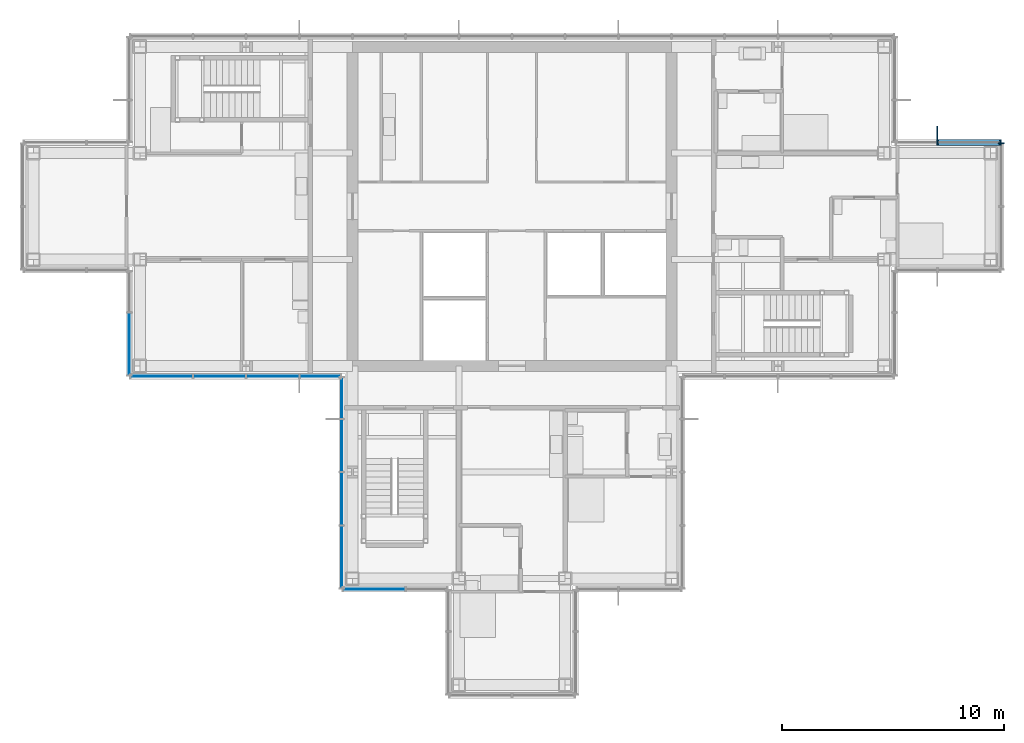
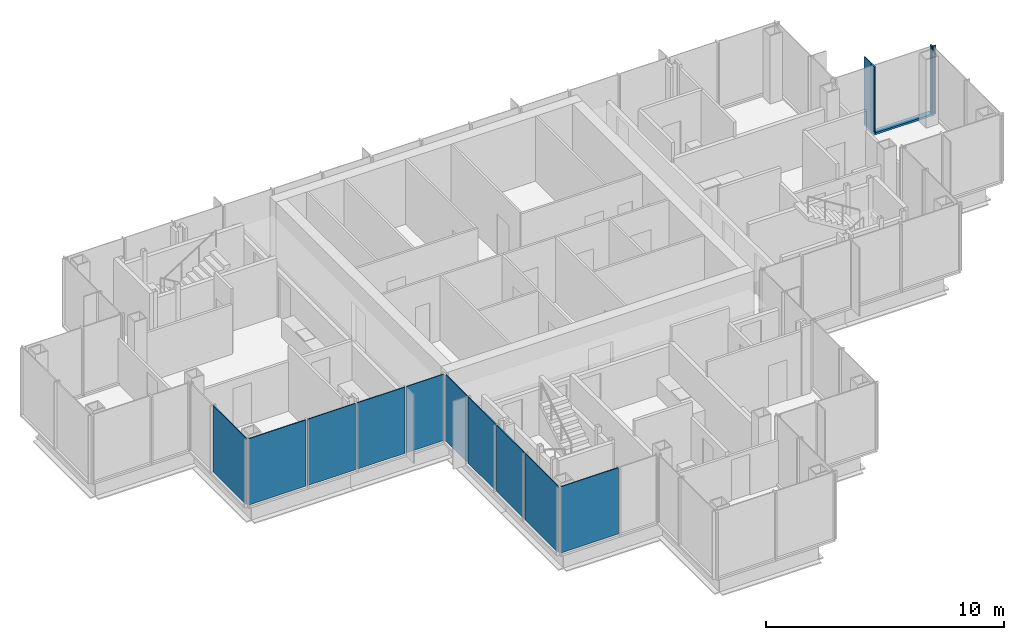
# One storey, part 8 of 15: 10 plates, 5 members, 6 elements without a shape of their own.
"""IFC4 building model written with IfcOpenShell, lengths in metres."""

import ifcopenshell
import ifcopenshell.guid

model = None  # the IFC model being written
_history = None  # IfcOwnerHistory: only IFC2X3 demands one
_inside = {}  # id of a spatial element -> (the spatial element, [elements in it])
_under = {}  # id of a project, library or spatial element -> (it, [spatial elements below it])
_declared = {}  # id of a project -> (the project, [libraries it declares])
_typed = {}  # id of a type object -> (the type object, [elements of that type])
_made_of = {}  # id of a material, layer set ... -> (it, [elements and type objects made of it])


def new_model(schema):
    """Start an empty IFC model of exactly this schema.

    Asked for "IFC4X3", IfcOpenShell would pick the latest addendum, in which some entities
    have other attributes; the version numbers below select the first issue.
    IFC2X3 requires an IfcOwnerHistory on every rooted entity: one is made here for all.
    """
    global model, _history
    if schema == "IFC4X3":
        model = ifcopenshell.file(schema_version=(4, 3, 0, 0))
    else:
        model = ifcopenshell.file(schema=schema)
    _inside.clear()
    _under.clear()
    _declared.clear()
    _typed.clear()
    _made_of.clear()
    _history = None
    if model.schema == "IFC2X3":
        org = make("IfcOrganization", Name="unknown")
        user = make(
            "IfcPersonAndOrganization",
            ThePerson=make("IfcPerson", FamilyName="unknown"),
            TheOrganization=org,
        )
        app = make(
            "IfcApplication",
            ApplicationDeveloper=org,
            Version="unknown",
            ApplicationFullName="unknown",
            ApplicationIdentifier="unknown",
        )
        _history = make(
            "IfcOwnerHistory",
            OwningUser=user,
            OwningApplication=app,
            ChangeAction="ADDED",
            CreationDate=0,
        )
    return model


def make(cls, **values):
    """One entity of the class cls with the attributes given. An attribute that is None is left unset."""
    return model.create_entity(
        cls, **{name: value for name, value in values.items() if value is not None}
    )


def rooted(cls, **values):
    """An entity with a GlobalId (a new one), such as an element, a storey or a relation."""
    return make(cls, GlobalId=ifcopenshell.guid.new(), OwnerHistory=_history, **values)


def si_unit(unit_type, name, prefix=None):
    """IfcSIUnit, for example si_unit("LENGTHUNIT", "METRE", prefix="MILLI")."""
    return make("IfcSIUnit", UnitType=unit_type, Prefix=prefix, Name=name)


def assignment(units):
    """IfcUnitAssignment: the units of a project."""
    return None if units is None else make("IfcUnitAssignment", Units=units)


def point(xyz):
    """IfcCartesianPoint."""
    return None if xyz is None else make("IfcCartesianPoint", Coordinates=xyz)


def direction(xyz):
    """IfcDirection."""
    return None if xyz is None else make("IfcDirection", DirectionRatios=xyz)


def frame(location, z_axis=None, x_axis=None):
    """IfcAxis2Placement3D, a coordinate frame: its origin and axes. An axis left out is left unset."""
    return make(
        "IfcAxis2Placement3D",
        Location=point(location),
        Axis=direction(z_axis),
        RefDirection=direction(x_axis),
    )


def frame_2d(location, x_axis=None):
    """IfcAxis2Placement2D, a coordinate frame in the plane: its origin and x axis."""
    return make(
        "IfcAxis2Placement2D", Location=point(location), RefDirection=direction(x_axis)
    )


def origin():
    """The frame at (0, 0, 0) with its axes left unset."""
    return frame((0.0, 0.0, 0.0))


def origin_2d():
    """The frame at (0, 0) in the plane with its x axis left unset."""
    return frame_2d((0.0, 0.0))


def place(relative_to, where):
    """IfcLocalPlacement: puts the frame where relative to a parent placement (None: the world)."""
    return make(
        "IfcLocalPlacement", PlacementRelTo=relative_to, RelativePlacement=where
    )


def context(
    kind, dimensions, precision=None, world=None, true_north=None, identifier=None
):
    """IfcGeometricRepresentationContext, for example the 3D "Model" context."""
    return make(
        "IfcGeometricRepresentationContext",
        ContextIdentifier=identifier,
        ContextType=kind,
        CoordinateSpaceDimension=dimensions,
        Precision=precision,
        WorldCoordinateSystem=world,
        TrueNorth=true_north,
    )


def subcontext(parent, identifier, kind, view, scale=None):
    """IfcGeometricRepresentationSubContext, for example "Body" below "Model"."""
    return make(
        "IfcGeometricRepresentationSubContext",
        ContextIdentifier=identifier,
        ContextType=kind,
        ParentContext=parent,
        TargetScale=scale,
        TargetView=view,
    )


def project(units=None, contexts=None):
    """IfcProject with its units and contexts."""
    return rooted(
        "IfcProject",
        Name="project",
        RepresentationContexts=contexts,
        UnitsInContext=assignment(units),
    )


def spatial(cls, under=None, at=None, **own):
    """A site, building, storey or space (cls), placed at a placement, below another one or the project."""
    s = rooted(cls, ObjectPlacement=at, **own)
    if under is not None:
        _under.setdefault(under.id(), (under, []))[1].append(s)
    return s


def profile(cls, at=None, kind="AREA", **sizes):
    """A parametric profile (cls). Its sizes go by their IFC names, for example OverallWidth=200.0."""
    return make(cls, ProfileType=kind, Position=at, **sizes)


def rectangle(**sizes):
    """IfcRectangleProfileDef."""
    return profile("IfcRectangleProfileDef", **sizes)


def extrude(swept, where, along, depth):
    """IfcExtrudedAreaSolid: the profile swept, set in the frame where, extruded along a direction by depth."""
    return make(
        "IfcExtrudedAreaSolid",
        SweptArea=swept,
        Position=where,
        ExtrudedDirection=direction(along),
        Depth=depth,
    )


def shape(context_of_items, identifier, shape_type, items):
    """IfcShapeRepresentation: the items that make up one representation, for example the "Body"."""
    return make(
        "IfcShapeRepresentation",
        ContextOfItems=context_of_items,
        RepresentationIdentifier=identifier,
        RepresentationType=shape_type,
        Items=items,
    )


def material(Name=None, Category=None):
    """IfcMaterial."""
    return make("IfcMaterial", Name=Name, Category=Category)


def layer(
    of_material, thickness, ventilated=None, Name=None, Category=None, Priority=None
):
    """IfcMaterialLayer: one layer of a wall or slab, of a material (None: an air gap)."""
    return make(
        "IfcMaterialLayer",
        Material=of_material,
        LayerThickness=thickness,
        IsVentilated=ventilated,
        Name=Name,
        Category=Category,
        Priority=Priority,
    )


def layer_set(layers, Name=None):
    """IfcMaterialLayerSet."""
    return make("IfcMaterialLayerSet", MaterialLayers=layers, LayerSetName=Name)


def material_profile(
    of_material, cross_section, Name=None, Category=None, Priority=None
):
    """IfcMaterialProfile: a cross section and its material."""
    return make(
        "IfcMaterialProfile",
        Name=Name,
        Material=of_material,
        Profile=cross_section,
        Priority=Priority,
        Category=Category,
    )


def profile_set(profiles, Name=None, composite=None):
    """IfcMaterialProfileSet."""
    return make(
        "IfcMaterialProfileSet",
        Name=Name,
        MaterialProfiles=profiles,
        CompositeProfile=composite,
    )


def made_of(thing, what):
    """Note that an element or type object is made of a material, layer set ...; save() writes the relation."""
    if what is not None:
        _made_of.setdefault(what.id(), (what, []))[1].append(thing)
    return thing


def type_object(cls, material=None, **own):
    """A type object (cls), such as IfcWallType, which elements share."""
    return made_of(rooted(cls, **own), material)


def element(
    cls,
    number,
    at=None,
    inside=None,
    cuts=None,
    type_object=None,
    material=None,
    context=None,
    identifier="Body",
    shape_type=None,
    held_by="IfcProductDefinitionShape",
    body=None,
    shapes=None,
    **own,
):
    """One element of the class cls, such as IfcWall. Its Tag is "e" and its number.

    at: its placement. inside: the storey or other place that contains it. cuts: it is an
    opening in that element (IfcRelVoidsElement). A single representation is given by context,
    identifier, shape_type and body (its items); several are given by shapes. held_by: the class
    of the entity that holds the representations. save() writes the other relations.
    """
    e = rooted(cls, Tag="e%d" % number, ObjectPlacement=at, **own)
    if body is not None:
        shapes = [shape(context, identifier, shape_type, body)]
    if shapes is not None:
        e.Representation = make(held_by, Representations=shapes)
    if inside is not None:
        _inside.setdefault(inside.id(), (inside, []))[1].append(e)
    if cuts is not None:
        rooted(
            "IfcRelVoidsElement", RelatingBuildingElement=cuts, RelatedOpeningElement=e
        )
    if type_object is not None:
        _typed.setdefault(type_object.id(), (type_object, []))[1].append(e)
    return made_of(e, material)


def aggregate(whole, parts):
    """IfcRelAggregates: a whole, such as a stair, and the parts it consists of."""
    return rooted("IfcRelAggregates", RelatingObject=whole, RelatedObjects=parts)


def save(model, path):
    """Write the relations noted so far, then the file.

    IfcRelAggregates (storeys below a building ...), IfcRelContainedInSpatialStructure (elements
    in a storey), IfcRelDefinesByType, IfcRelAssociatesMaterial and IfcRelDeclares: one each for
    every whole, place, type object, material and project.
    """
    for whole, parts in _under.values():
        aggregate(whole, parts)
    for where, things in _inside.values():
        rooted(
            "IfcRelContainedInSpatialStructure",
            RelatedElements=things,
            RelatingStructure=where,
        )
    for kind, things in _typed.values():
        rooted("IfcRelDefinesByType", RelatedObjects=things, RelatingType=kind)
    for what, things in _made_of.values():
        rooted("IfcRelAssociatesMaterial", RelatedObjects=things, RelatingMaterial=what)
    for by, libraries in _declared.values():
        rooted("IfcRelDeclares", RelatingContext=by, RelatedDefinitions=libraries)
    model.write(path)


model = new_model("IFC4")

# Units and contexts
model_context = context("Model", 3, precision=1e-05, world=origin(), true_north=direction((0.0, 1.0)))
body_context = subcontext(model_context, "Body", "Model", "MODEL_VIEW")
ifc_project = project(units=[si_unit("LENGTHUNIT", "METRE"), si_unit("AREAUNIT", "SQUARE_METRE"), si_unit("VOLUMEUNIT", "CUBIC_METRE"), si_unit("PLANEANGLEUNIT", "RADIAN"), si_unit("MASSUNIT", "GRAM", prefix="KILO")], contexts=[model_context])

# Site, building, storey
site_placement = place(None, origin())
site = spatial("IfcSite", under=ifc_project, at=site_placement, CompositionType="ELEMENT")
building_placement = place(site_placement, origin())
building = spatial("IfcBuilding", under=site, at=building_placement, Name="Kvirike Care Tower", CompositionType="ELEMENT")
storey_placement = place(building_placement, frame((0.0, 0.0, 222.5)))
storey = spatial("IfcBuildingStorey", under=building, at=storey_placement, Name="L61", CompositionType="ELEMENT", Elevation=222.5)

# Curtain wall, member
ifc_material_1 = material(Name="Anodised aluminium stick system", Category="aluminium")
curtain_wall_type = type_object("IfcCurtainWallType", Name="CW-D STICK CURTAIN WALL", PredefinedType="NOTDEFINED", material=ifc_material_1)
curtain_wall_1_placement = place(storey_placement, origin())
curtain_wall_1 = element("IfcCurtainWall", 1, at=curtain_wall_1_placement, inside=storey, type_object=curtain_wall_type, Name="Curtain wall L61 face 5", PredefinedType="NOTDEFINED")
ifc_material_2 = material(Name="Bronze anodised aluminium fin", Category="aluminium")
ifc_material_profile_1 = material_profile(ifc_material_2, rectangle(XDim=0.050048828125, YDim=0.60009765625, at=origin_2d()), Name="BRONZE FIN 600")
ifc_profile_set_1 = profile_set([ifc_material_profile_1], Name="Bronze anodised aluminium fin")
member_type_1 = type_object("IfcMemberType", Name="BRONZE FIN 600", PredefinedType="USERDEFINED", material=ifc_profile_set_1)
member_1_placement = place(storey_placement, frame((40.800048828125, 39.31005859375, 0.0), z_axis=(0.0, 0.0, 1.0), x_axis=(-1.0, 0.0, 0.0)))
member_1 = element("IfcMember", 2, at=member_1_placement, type_object=member_type_1, Name="Bronze fin L61 face 5.2", ObjectType="FIN", PredefinedType="USERDEFINED", context=body_context, shape_type="SweptSolid", body=[
    extrude(rectangle(XDim=0.050048828125, YDim=0.60009765625, at=origin_2d()), origin(), (0.0, 0.0, 1.0), 3.5),
])

curtain_wall_2_placement = place(storey_placement, origin())
curtain_wall_2 = element("IfcCurtainWall", 3, at=curtain_wall_2_placement, inside=storey, type_object=curtain_wall_type, Name="Curtain wall L61 face 4", PredefinedType="NOTDEFINED")
ifc_material_3 = material(Name="Bronze anodised aluminium mullion", Category="aluminium")
ifc_material_profile_2 = material_profile(ifc_material_3, rectangle(XDim=0.06494140625, YDim=0.260009765625, at=origin_2d()), Name="CW-D MULLION 65x260")
ifc_profile_set_2 = profile_set([ifc_material_profile_2], Name="Bronze anodised aluminium mullion")
member_type_2 = type_object("IfcMemberType", Name="CW-D MULLION 65x260", PredefinedType="MULLION", material=ifc_profile_set_2)
member_2_placement = place(storey_placement, frame((43.679931640625, 38.847412109375, 0.0), z_axis=(0.0, 0.0, 1.0), x_axis=(0.0, 1.0, 0.0)))
member_2 = element("IfcMember", 4, at=member_2_placement, type_object=member_type_2, Name="CW-D mullion L61 face 4.3", PredefinedType="MULLION", context=body_context, shape_type="SweptSolid", body=[
    extrude(rectangle(XDim=0.06494140625, YDim=0.260009765625, at=origin_2d()), origin(), (0.0, 0.0, 1.0), 3.5),
])
aggregate(curtain_wall_2, [member_2])

# Member
member_3_placement = place(storey_placement, frame((43.6474609375, 38.8798828125, 0.0), z_axis=(0.0, 0.0, 1.0), x_axis=(-1.0, 0.0, 0.0)))
member_3 = element("IfcMember", 5, at=member_3_placement, type_object=member_type_2, Name="CW-D mullion L61 face 5.1", PredefinedType="MULLION", context=body_context, shape_type="SweptSolid", body=[
    extrude(rectangle(XDim=0.06494140625, YDim=0.260009765625, at=origin_2d()), origin(), (0.0, 0.0, 1.0), 3.5),
])

member_4_placement = place(storey_placement, frame((40.800048828125, 38.8798828125, 0.0), z_axis=(0.0, 0.0, 1.0), x_axis=(-1.0, 0.0, 0.0)))
member_4 = element("IfcMember", 6, at=member_4_placement, type_object=member_type_2, Name="CW-D mullion L61 face 5.2", PredefinedType="MULLION", context=body_context, shape_type="SweptSolid", body=[
    extrude(rectangle(XDim=0.06494140625, YDim=0.260009765625, at=origin_2d()), origin(), (0.0, 0.0, 1.0), 3.5),
])

ifc_material_4 = material(Name="Bronze anodised aluminium transom", Category="aluminium")
ifc_material_profile_3 = material_profile(ifc_material_4, rectangle(XDim=0.260009765625, YDim=0.10009765625, at=origin_2d()), Name="CW-D TRANSOM 260x100")
ifc_profile_set_3 = profile_set([ifc_material_profile_3], Name="Bronze anodised aluminium transom")
member_type_3 = type_object("IfcMemberType", Name="CW-D TRANSOM 260x100", PredefinedType="USERDEFINED", material=ifc_profile_set_3)
member_5_placement = place(storey_placement, frame((43.614990234375, 38.8798828125, 0.050048828125), z_axis=(-1.0, 0.0, 0.0), x_axis=(0.0, -1.0, 0.0)))
member_5 = element("IfcMember", 7, at=member_5_placement, type_object=member_type_3, Name="CW-D sill transom L61 face 5.1", ObjectType="TRANSOM", PredefinedType="USERDEFINED", context=body_context, shape_type="SweptSolid", body=[
    extrude(rectangle(XDim=0.260009765625, YDim=0.10009765625, at=origin_2d()), origin(), (0.0, 0.0, 1.0), 2.782470703125),
])

aggregate(curtain_wall_1, [member_3, member_4, member_1, member_5])

# Curtain wall, plate
curtain_wall_3_placement = place(storey_placement, origin())
curtain_wall_3 = element("IfcCurtainWall", 8, at=curtain_wall_3_placement, inside=storey, type_object=curtain_wall_type, Name="Curtain wall L61 face 12", PredefinedType="NOTDEFINED")
ifc_material_5 = material(Name="Tinted double glazed unit", Category="glass")
ifc_layer = layer(ifc_material_5, 0.0439453125)
ifc_layer_set = layer_set([ifc_layer], Name="TINTED VISION PANEL 44")
plate_type = type_object("IfcPlateType", Name="TINTED VISION PANEL 44", PredefinedType="CURTAIN_PANEL", material=ifc_layer_set)
plate_1_placement = place(storey_placement, frame((4.320068359375, 29.7763671875, 0.10009765625), z_axis=(0.0, 0.0, 1.0), x_axis=(0.0, -1.0, 0.0)))
plate_1 = element("IfcPlate", 9, at=plate_1_placement, type_object=plate_type, Name="CW-D panel L61 face 12.2", PredefinedType="CURTAIN_PANEL", context=body_context, shape_type="SweptSolid", body=[
    extrude(rectangle(XDim=2.782470703125, YDim=0.0439453125, at=origin_2d()), origin(), (0.0, 0.0, 1.0), 3.39990234375),
])
aggregate(curtain_wall_3, [plate_1])

# Curtain wall, plates
curtain_wall_4_placement = place(storey_placement, origin())
curtain_wall_4 = element("IfcCurtainWall", 10, at=curtain_wall_4_placement, inside=storey, type_object=curtain_wall_type, Name="Curtain wall L61 face 13", PredefinedType="NOTDEFINED")
plate_2_placement = place(storey_placement, frame((5.7763671875, 28.320068359375, 0.10009765625), z_axis=(0.0, 0.0, 1.0), x_axis=(1.0, 0.0, 0.0)))
plate_2 = element("IfcPlate", 11, at=plate_2_placement, type_object=plate_type, Name="CW-D panel L61 face 13.1", PredefinedType="CURTAIN_PANEL", context=body_context, shape_type="SweptSolid", body=[
    extrude(rectangle(XDim=2.782470703125, YDim=0.0439453125, at=origin_2d()), origin(), (0.0, 0.0, 1.0), 3.39990234375),
])
plate_3_placement = place(storey_placement, frame((8.39990234375, 28.320068359375, 0.10009765625), z_axis=(0.0, 0.0, 1.0), x_axis=(1.0, 0.0, 0.0)))
plate_3 = element("IfcPlate", 12, at=plate_3_placement, type_object=plate_type, Name="CW-D panel L61 face 13.2", PredefinedType="CURTAIN_PANEL", context=body_context, shape_type="SweptSolid", body=[
    extrude(rectangle(XDim=2.3349609375, YDim=0.0439453125, at=origin_2d()), origin(), (0.0, 0.0, 1.0), 3.39990234375),
])
plate_4_placement = place(storey_placement, frame((10.800048828125, 28.320068359375, 0.10009765625), z_axis=(0.0, 0.0, 1.0), x_axis=(1.0, 0.0, 0.0)))
plate_4 = element("IfcPlate", 13, at=plate_4_placement, type_object=plate_type, Name="CW-D panel L61 face 13.3", PredefinedType="CURTAIN_PANEL", context=body_context, shape_type="SweptSolid", body=[
    extrude(rectangle(XDim=2.3349609375, YDim=0.0439453125, at=origin_2d()), origin(), (0.0, 0.0, 1.0), 3.39990234375),
])
plate_5_placement = place(storey_placement, frame((12.94384765625, 28.320068359375, 0.10009765625), z_axis=(0.0, 0.0, 1.0), x_axis=(1.0, 0.0, 0.0)))
plate_5 = element("IfcPlate", 14, at=plate_5_placement, type_object=plate_type, Name="CW-D panel L61 face 13.4", PredefinedType="CURTAIN_PANEL", context=body_context, shape_type="SweptSolid", body=[
    extrude(rectangle(XDim=1.822509765625, YDim=0.0439453125, at=origin_2d()), origin(), (0.0, 0.0, 1.0), 3.39990234375),
])
aggregate(curtain_wall_4, [plate_2, plate_3, plate_4, plate_5])

curtain_wall_5_placement = place(storey_placement, origin())
curtain_wall_5 = element("IfcCurtainWall", 15, at=curtain_wall_5_placement, inside=storey, type_object=curtain_wall_type, Name="Curtain wall L61 face 14", PredefinedType="NOTDEFINED")
plate_6_placement = place(storey_placement, frame((13.919921875, 27.34375, 0.10009765625), z_axis=(0.0, 0.0, 1.0), x_axis=(0.0, -1.0, 0.0)))
plate_6 = element("IfcPlate", 16, at=plate_6_placement, type_object=plate_type, Name="CW-D panel L61 face 14.1", PredefinedType="CURTAIN_PANEL", context=body_context, shape_type="SweptSolid", body=[
    extrude(rectangle(XDim=1.822509765625, YDim=0.0439453125, at=origin_2d()), origin(), (0.0, 0.0, 1.0), 3.39990234375),
])
plate_7_placement = place(storey_placement, frame((13.919921875, 25.199951171875, 0.10009765625), z_axis=(0.0, 0.0, 1.0), x_axis=(0.0, -1.0, 0.0)))
plate_7 = element("IfcPlate", 17, at=plate_7_placement, type_object=plate_type, Name="CW-D panel L61 face 14.2", PredefinedType="CURTAIN_PANEL", context=body_context, shape_type="SweptSolid", body=[
    extrude(rectangle(XDim=2.3349609375, YDim=0.0439453125, at=origin_2d()), origin(), (0.0, 0.0, 1.0), 3.39990234375),
])
plate_8_placement = place(storey_placement, frame((13.919921875, 22.800048828125, 0.10009765625), z_axis=(0.0, 0.0, 1.0), x_axis=(0.0, -1.0, 0.0)))
plate_8 = element("IfcPlate", 18, at=plate_8_placement, type_object=plate_type, Name="CW-D panel L61 face 14.3", PredefinedType="CURTAIN_PANEL", context=body_context, shape_type="SweptSolid", body=[
    extrude(rectangle(XDim=2.3349609375, YDim=0.0439453125, at=origin_2d()), origin(), (0.0, 0.0, 1.0), 3.39990234375),
])
plate_9_placement = place(storey_placement, frame((13.919921875, 20.17626953125, 0.10009765625), z_axis=(0.0, 0.0, 1.0), x_axis=(0.0, -1.0, 0.0)))
plate_9 = element("IfcPlate", 19, at=plate_9_placement, type_object=plate_type, Name="CW-D panel L61 face 14.4", PredefinedType="CURTAIN_PANEL", context=body_context, shape_type="SweptSolid", body=[
    extrude(rectangle(XDim=2.782470703125, YDim=0.0439453125, at=origin_2d()), origin(), (0.0, 0.0, 1.0), 3.39990234375),
])
aggregate(curtain_wall_5, [plate_6, plate_7, plate_8, plate_9])

# Curtain wall, plate
curtain_wall_6_placement = place(storey_placement, origin())
curtain_wall_6 = element("IfcCurtainWall", 20, at=curtain_wall_6_placement, inside=storey, type_object=curtain_wall_type, Name="Curtain wall L61 face 15", PredefinedType="NOTDEFINED")
plate_10_placement = place(storey_placement, frame((15.376220703125, 18.719970703125, 0.10009765625), z_axis=(0.0, 0.0, 1.0), x_axis=(1.0, 0.0, 0.0)))
plate_10 = element("IfcPlate", 21, at=plate_10_placement, type_object=plate_type, Name="CW-D panel L61 face 15.1", PredefinedType="CURTAIN_PANEL", context=body_context, shape_type="SweptSolid", body=[
    extrude(rectangle(XDim=2.782470703125, YDim=0.0439453125, at=origin_2d()), origin(), (0.0, 0.0, 1.0), 3.39990234375),
])
aggregate(curtain_wall_6, [plate_10])

save(model, "model.ifc")
